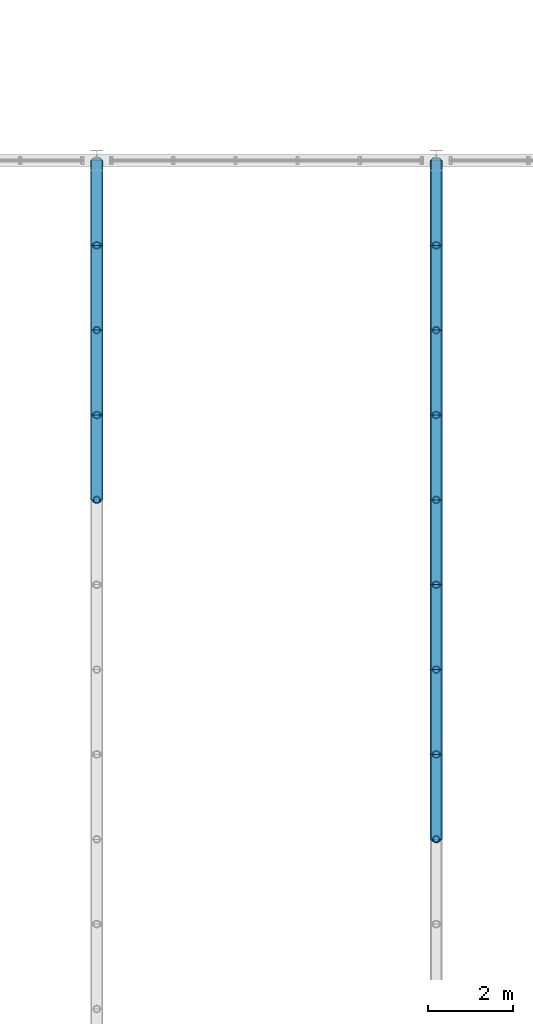
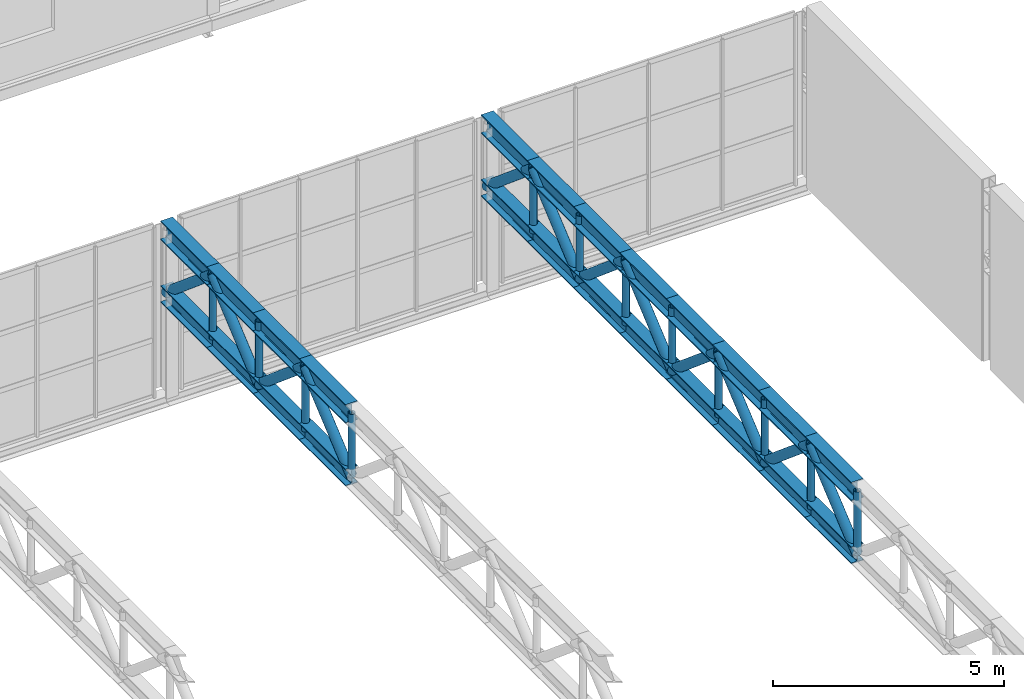
# One storey, part 89 of 143: 48 members.
"""IFC4 building model written with IfcOpenShell, lengths in metres."""

from ifc_helpers import new_model, si_unit, derived_unit, direction, frame, origin, origin_2d, place, context, subcontext, project, spatial, hollow_circle, i_section, extrude, material, material_profile, profile_set, type_object, element, save


model = new_model("IFC4")

# Units and contexts
model_context = context("Model", 3, precision=1e-05, world=origin(), true_north=direction((0.0, 1.0)))
body_context = subcontext(model_context, "Body", "Model", "MODEL_VIEW")
ifc_project = project(units=[si_unit("LENGTHUNIT", "METRE"), si_unit("AREAUNIT", "SQUARE_METRE"), si_unit("VOLUMEUNIT", "CUBIC_METRE"), si_unit("PLANEANGLEUNIT", "RADIAN"), si_unit("MASSUNIT", "GRAM", prefix="KILO"), derived_unit("THERMALTRANSMITTANCEUNIT", [(si_unit("POWERUNIT", "WATT"), 1), (si_unit("LENGTHUNIT", "METRE"), -2), (si_unit("THERMODYNAMICTEMPERATUREUNIT", "KELVIN"), -1)])], contexts=[model_context])

# Site, building, storey
site_placement = place(None, origin())
site = spatial("IfcSite", under=ifc_project, at=site_placement, CompositionType="ELEMENT")
building_placement = place(site_placement, origin())
building = spatial("IfcBuilding", under=site, at=building_placement, Name="Keldorne Ridge Multi-Sports Centre", CompositionType="ELEMENT")
storey_placement = place(building_placement, frame((0.0, 0.0, 4.800048828125)))
storey = spatial("IfcBuildingStorey", under=building, at=storey_placement, Name="L01", CompositionType="ELEMENT", Elevation=4.800048828125)

# Members
ifc_material = material(Name="Steel S355", Category="steel")
ifc_material_profile_1 = material_profile(ifc_material, i_section(OverallWidth=0.300048828125, OverallDepth=0.5, WebThickness=0.014404296875, FlangeThickness=0.028076171875, FilletRadius=0.027099609375, at=origin_2d()), Name="HEB 500")
ifc_profile_set_1 = profile_set([ifc_material_profile_1], Name="Steel S355")
member_type_1 = type_object("IfcMemberType", Name="MEM-TC-03", PredefinedType="CHORD", material=ifc_profile_set_1)
for number, where, z_axis, x_axis, name in (
    (1, (152.0, 46.0, 4.31005859375), (0.0, 1.0, 0.0), (-1.0, 0.0, 0.0), "Stacked Courts Warren TRUSS WT-L02-07 top chord 21"),
    (2, (152.0, 48.0, 4.31005859375), (0.0, 1.0, 0.0), (-1.0, 0.0, 0.0), "Stacked Courts Warren TRUSS WT-L02-07 top chord 22"),
    (3, (152.0, 50.0, 4.31005859375), (0.0, 1.0, 0.0), (-1.0, 0.0, 0.0), "Stacked Courts Warren TRUSS WT-L02-07 top chord 23"),
    (4, (152.0, 52.0, 4.31005859375), (0.0, 1.0, 0.0), (-1.0, 0.0, 0.0), "Stacked Courts Warren TRUSS WT-L02-07 top chord 24"),
    (5, (160.0, 38.0, 4.31005859375), (0.0, 1.0, 0.0), (-1.0, 0.0, 0.0), "Stacked Courts Warren TRUSS WT-L02-08 top chord 17"),
    (6, (160.0, 40.0, 4.31005859375), (0.0, 1.0, 0.0), (-1.0, 0.0, 0.0), "Stacked Courts Warren TRUSS WT-L02-08 top chord 18"),
    (7, (160.0, 42.0, 4.31005859375), (0.0, 1.0, 0.0), (-1.0, 0.0, 0.0), "Stacked Courts Warren TRUSS WT-L02-08 top chord 19"),
    (8, (160.0, 44.0, 4.31005859375), (0.0, 1.0, 0.0), (-1.0, 0.0, 0.0), "Stacked Courts Warren TRUSS WT-L02-08 top chord 20"),
    (9, (160.0, 46.0, 4.31005859375), (0.0, 1.0, 0.0), (-1.0, 0.0, 0.0), "Stacked Courts Warren TRUSS WT-L02-08 top chord 21"),
    (10, (160.0, 48.0, 4.31005859375), (0.0, 1.0, 0.0), (-1.0, 0.0, 0.0), "Stacked Courts Warren TRUSS WT-L02-08 top chord 22"),
    (11, (160.0, 50.0, 4.31005859375), (0.0, 1.0, 0.0), (-1.0, 0.0, 0.0), "Stacked Courts Warren TRUSS WT-L02-08 top chord 23"),
    (12, (160.0, 52.0, 4.31005859375), (0.0, 1.0, 0.0), (-1.0, 0.0, 0.0), "Stacked Courts Warren TRUSS WT-L02-08 top chord 24"),
):
    element("IfcMember", number, at=place(storey_placement, frame(where, z_axis=z_axis, x_axis=x_axis)), inside=storey, type_object=member_type_1, Name=name, PredefinedType="CHORD", context=body_context, shape_type="SweptSolid", body=[
        extrude(i_section(OverallWidth=0.300048828125, OverallDepth=0.5, WebThickness=0.014404296875, FlangeThickness=0.028076171875, FilletRadius=0.027099609375, at=origin_2d()), origin(), (0.0, 0.0, 1.0), 2.0),
    ])
ifc_material_profile_2 = material_profile(ifc_material, i_section(OverallWidth=0.300048828125, OverallDepth=0.449951171875, WebThickness=0.013916015625, FlangeThickness=0.02587890625, FilletRadius=0.027099609375, at=origin_2d()), Name="HEB 450")
ifc_profile_set_2 = profile_set([ifc_material_profile_2], Name="Steel S355")
member_type_2 = type_object("IfcMemberType", Name="MEM-TC-04", PredefinedType="CHORD", material=ifc_profile_set_2)
for number, where, z_axis, x_axis, name in (
    (13, (152.0, 46.0, 2.6298828125), (0.0, 1.0, 0.0), (-1.0, 0.0, 0.0), "Stacked Courts Warren TRUSS WT-L02-07 bottom chord 21"),
    (14, (152.0, 48.0, 2.6298828125), (0.0, 1.0, 0.0), (-1.0, 0.0, 0.0), "Stacked Courts Warren TRUSS WT-L02-07 bottom chord 22"),
    (15, (152.0, 50.0, 2.6298828125), (0.0, 1.0, 0.0), (-1.0, 0.0, 0.0), "Stacked Courts Warren TRUSS WT-L02-07 bottom chord 23"),
    (16, (152.0, 52.0, 2.6298828125), (0.0, 1.0, 0.0), (-1.0, 0.0, 0.0), "Stacked Courts Warren TRUSS WT-L02-07 bottom chord 24"),
    (17, (160.0, 38.0, 2.6298828125), (0.0, 1.0, 0.0), (-1.0, 0.0, 0.0), "Stacked Courts Warren TRUSS WT-L02-08 bottom chord 17"),
    (18, (160.0, 40.0, 2.6298828125), (0.0, 1.0, 0.0), (-1.0, 0.0, 0.0), "Stacked Courts Warren TRUSS WT-L02-08 bottom chord 18"),
    (19, (160.0, 42.0, 2.6298828125), (0.0, 1.0, 0.0), (-1.0, 0.0, 0.0), "Stacked Courts Warren TRUSS WT-L02-08 bottom chord 19"),
    (20, (160.0, 44.0, 2.6298828125), (0.0, 1.0, 0.0), (-1.0, 0.0, 0.0), "Stacked Courts Warren TRUSS WT-L02-08 bottom chord 20"),
    (21, (160.0, 46.0, 2.6298828125), (0.0, 1.0, 0.0), (-1.0, 0.0, 0.0), "Stacked Courts Warren TRUSS WT-L02-08 bottom chord 21"),
    (22, (160.0, 48.0, 2.6298828125), (0.0, 1.0, 0.0), (-1.0, 0.0, 0.0), "Stacked Courts Warren TRUSS WT-L02-08 bottom chord 22"),
    (23, (160.0, 50.0, 2.6298828125), (0.0, 1.0, 0.0), (-1.0, 0.0, 0.0), "Stacked Courts Warren TRUSS WT-L02-08 bottom chord 23"),
    (24, (160.0, 52.0, 2.6298828125), (0.0, 1.0, 0.0), (-1.0, 0.0, 0.0), "Stacked Courts Warren TRUSS WT-L02-08 bottom chord 24"),
):
    element("IfcMember", number, at=place(storey_placement, frame(where, z_axis=z_axis, x_axis=x_axis)), inside=storey, type_object=member_type_2, Name=name, PredefinedType="CHORD", context=body_context, shape_type="SweptSolid", body=[
        extrude(i_section(OverallWidth=0.300048828125, OverallDepth=0.449951171875, WebThickness=0.013916015625, FlangeThickness=0.02587890625, FilletRadius=0.027099609375, at=origin_2d()), origin(), (0.0, 0.0, 1.0), 2.0),
    ])
ifc_material_profile_3 = material_profile(ifc_material, hollow_circle(Radius=0.122314453125, WallThickness=0.012451171875, at=origin_2d()), Name="CHS 244.5x12.5")
ifc_profile_set_3 = profile_set([ifc_material_profile_3], Name="Steel S355")
member_type_3 = type_object("IfcMemberType", Name="MEM-TD-02", PredefinedType="BRACE", material=ifc_profile_set_3)
for number, where, z_axis, x_axis, name in (
    (25, (152.0, 46.0, 2.6298828125), (0.0, 0.765671721121, 0.643231541108), (-1.0, 0.0, 0.0), "Stacked Courts Warren TRUSS WT-L02-07 diagonal 21"),
    (26, (152.0, 48.0, 4.31005859375), (0.0, 0.765671721121, -0.643231541108), (-1.0, 0.0, 0.0), "Stacked Courts Warren TRUSS WT-L02-07 diagonal 22"),
    (27, (152.0, 50.0, 2.6298828125), (0.0, 0.765671721121, 0.643231541108), (-1.0, 0.0, 0.0), "Stacked Courts Warren TRUSS WT-L02-07 diagonal 23"),
    (28, (152.0, 52.0, 4.31005859375), (0.0, 0.765671721121, -0.643231541108), (-1.0, 0.0, 0.0), "Stacked Courts Warren TRUSS WT-L02-07 diagonal 24"),
    (29, (160.0, 38.0, 2.6298828125), (0.0, 0.765671721121, 0.643231541108), (-1.0, 0.0, 0.0), "Stacked Courts Warren TRUSS WT-L02-08 diagonal 17"),
    (30, (160.0, 40.0, 4.31005859375), (0.0, 0.765671721121, -0.643231541108), (-1.0, 0.0, 0.0), "Stacked Courts Warren TRUSS WT-L02-08 diagonal 18"),
    (31, (160.0, 42.0, 2.6298828125), (0.0, 0.765671721121, 0.643231541108), (-1.0, 0.0, 0.0), "Stacked Courts Warren TRUSS WT-L02-08 diagonal 19"),
    (32, (160.0, 44.0, 4.31005859375), (0.0, 0.765671721121, -0.643231541108), (-1.0, 0.0, 0.0), "Stacked Courts Warren TRUSS WT-L02-08 diagonal 20"),
    (33, (160.0, 46.0, 2.6298828125), (0.0, 0.765671721121, 0.643231541108), (-1.0, 0.0, 0.0), "Stacked Courts Warren TRUSS WT-L02-08 diagonal 21"),
    (34, (160.0, 48.0, 4.31005859375), (0.0, 0.765671721121, -0.643231541108), (-1.0, 0.0, 0.0), "Stacked Courts Warren TRUSS WT-L02-08 diagonal 22"),
    (35, (160.0, 50.0, 2.6298828125), (0.0, 0.765671721121, 0.643231541108), (-1.0, 0.0, 0.0), "Stacked Courts Warren TRUSS WT-L02-08 diagonal 23"),
    (36, (160.0, 52.0, 4.31005859375), (0.0, 0.765671721121, -0.643231541108), (-1.0, 0.0, 0.0), "Stacked Courts Warren TRUSS WT-L02-08 diagonal 24"),
):
    element("IfcMember", number, at=place(storey_placement, frame(where, z_axis=z_axis, x_axis=x_axis)), inside=storey, type_object=member_type_3, Name=name, PredefinedType="BRACE", context=body_context, shape_type="SweptSolid", body=[
        extrude(hollow_circle(Radius=0.122314453125, WallThickness=0.012451171875, at=origin_2d()), origin(), (0.0, 0.0, 1.0), 2.612060546875),
    ])
ifc_material_profile_4 = material_profile(ifc_material, hollow_circle(Radius=0.084228515625, WallThickness=0.010009765625, at=origin_2d()), Name="CHS 168.3x10")
ifc_profile_set_4 = profile_set([ifc_material_profile_4], Name="Steel S355")
member_type_4 = type_object("IfcMemberType", Name="MEM-TV-01", PredefinedType="STRUT", material=ifc_profile_set_4)
for number, where, z_axis, x_axis, name in (
    (37, (152.0, 46.0, 2.6298828125), (0.0, 0.0, 1.0), (1.0, 0.0, 0.0), "Stacked Courts Warren TRUSS WT-L02-07 post 21"),
    (38, (152.0, 48.0, 2.6298828125), (0.0, 0.0, 1.0), (1.0, 0.0, 0.0), "Stacked Courts Warren TRUSS WT-L02-07 post 22"),
    (39, (152.0, 50.0, 2.6298828125), (0.0, 0.0, 1.0), (1.0, 0.0, 0.0), "Stacked Courts Warren TRUSS WT-L02-07 post 23"),
    (40, (152.0, 52.0, 2.6298828125), (0.0, 0.0, 1.0), (1.0, 0.0, 0.0), "Stacked Courts Warren TRUSS WT-L02-07 post 24"),
    (41, (160.0, 38.0, 2.6298828125), (0.0, 0.0, 1.0), (1.0, 0.0, 0.0), "Stacked Courts Warren TRUSS WT-L02-08 post 17"),
    (42, (160.0, 40.0, 2.6298828125), (0.0, 0.0, 1.0), (1.0, 0.0, 0.0), "Stacked Courts Warren TRUSS WT-L02-08 post 18"),
    (43, (160.0, 42.0, 2.6298828125), (0.0, 0.0, 1.0), (1.0, 0.0, 0.0), "Stacked Courts Warren TRUSS WT-L02-08 post 19"),
    (44, (160.0, 44.0, 2.6298828125), (0.0, 0.0, 1.0), (1.0, 0.0, 0.0), "Stacked Courts Warren TRUSS WT-L02-08 post 20"),
    (45, (160.0, 46.0, 2.6298828125), (0.0, 0.0, 1.0), (1.0, 0.0, 0.0), "Stacked Courts Warren TRUSS WT-L02-08 post 21"),
    (46, (160.0, 48.0, 2.6298828125), (0.0, 0.0, 1.0), (1.0, 0.0, 0.0), "Stacked Courts Warren TRUSS WT-L02-08 post 22"),
    (47, (160.0, 50.0, 2.6298828125), (0.0, 0.0, 1.0), (1.0, 0.0, 0.0), "Stacked Courts Warren TRUSS WT-L02-08 post 23"),
    (48, (160.0, 52.0, 2.6298828125), (0.0, 0.0, 1.0), (1.0, 0.0, 0.0), "Stacked Courts Warren TRUSS WT-L02-08 post 24"),
):
    element("IfcMember", number, at=place(storey_placement, frame(where, z_axis=z_axis, x_axis=x_axis)), inside=storey, type_object=member_type_4, Name=name, PredefinedType="STRUT", context=body_context, shape_type="SweptSolid", body=[
        extrude(hollow_circle(Radius=0.084228515625, WallThickness=0.010009765625, at=origin_2d()), origin(), (0.0, 0.0, 1.0), 1.68017578125),
    ])

save(model, "model.ifc")
